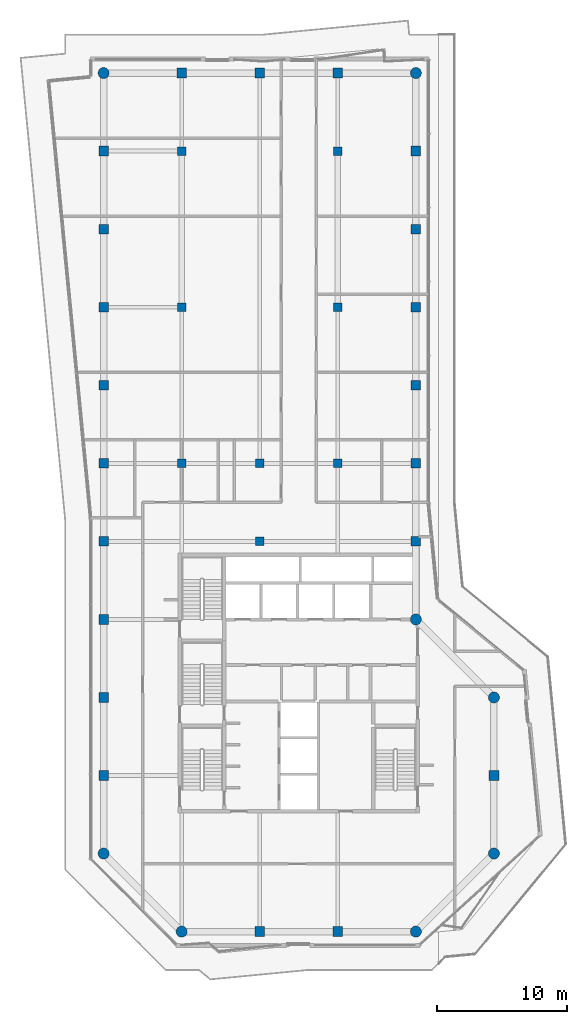
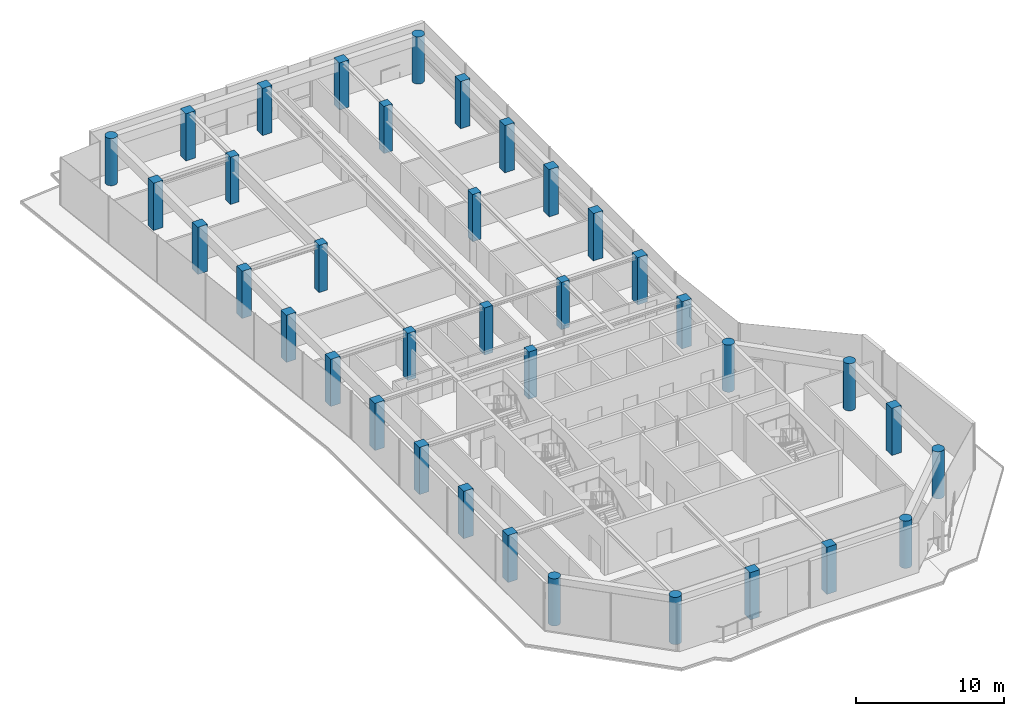
# One storey, part 1 of 22: 37 columns.
"""IFC4 building model written with IfcOpenShell, lengths in metres."""

from ifc_helpers import new_model, si_unit, direction, frame, origin, origin_2d, place, context, subcontext, project, spatial, rectangle, circle, extrude, material, material_profile, profile_set, type_object, element, save


model = new_model("IFC4")

# Units and contexts
model_context = context("Model", 3, precision=1e-05, world=origin(), true_north=direction((0.0, 1.0)))
body_context = subcontext(model_context, "Body", "Model", "MODEL_VIEW")
ifc_project = project(units=[si_unit("LENGTHUNIT", "METRE"), si_unit("AREAUNIT", "SQUARE_METRE"), si_unit("VOLUMEUNIT", "CUBIC_METRE"), si_unit("PLANEANGLEUNIT", "RADIAN"), si_unit("MASSUNIT", "GRAM", prefix="KILO")], contexts=[model_context])

# Site, building, storey
site_placement = place(None, origin())
site = spatial("IfcSite", under=ifc_project, at=site_placement, CompositionType="ELEMENT")
building_placement = place(site_placement, origin())
building = spatial("IfcBuilding", under=site, at=building_placement, Name="Welwitschia Terrace Campus", CompositionType="ELEMENT")
storey_placement = place(building_placement, frame((0.0, 0.0, 310.39990234375)))
storey = spatial("IfcBuildingStorey", under=building, at=storey_placement, Name="L69", CompositionType="ELEMENT", Elevation=310.39990234375)

# Columns
ifc_material_1 = material(Name="Concrete C50/60", Category="concrete")
ifc_material_profile_1 = material_profile(ifc_material_1, circle(Radius=0.425048828125, at=origin_2d()))
ifc_profile_set_1 = profile_set([ifc_material_profile_1], Name="Concrete C50/60")
column_type_1 = type_object("IfcColumnType", Name="Corner column 850 dia", PredefinedType="COLUMN", material=ifc_profile_set_1)
for number, where, z_axis, x_axis, name in (
    (1, (0.0, 2.0, 0.0), (0.0, 0.0, 1.0), (1.0, 0.0, 0.0), "Column C41"),
    (2, (0.0, 62.0, 0.0), (0.0, 0.0, 1.0), (1.0, 0.0, 0.0), "Column C41"),
    (3, (6.0, -4.0, 0.0), (0.0, 0.0, 1.0), (1.0, 0.0, 0.0), "Column C41"),
    (4, (24.0, -4.0, 0.0), (0.0, 0.0, 1.0), (1.0, 0.0, 0.0), "Column C41"),
    (5, (24.0, 20.0, 0.0), (0.0, 0.0, 1.0), (1.0, 0.0, 0.0), "Column C41"),
    (6, (24.0, 62.0, 0.0), (0.0, 0.0, 1.0), (1.0, 0.0, 0.0), "Column C41"),
    (7, (30.0, 2.0, 0.0), (0.0, 0.0, 1.0), (1.0, 0.0, 0.0), "Column C41"),
    (8, (30.0, 14.0, 0.0), (0.0, 0.0, 1.0), (1.0, 0.0, 0.0), "Column C41"),
):
    element("IfcColumn", number, at=place(storey_placement, frame(where, z_axis=z_axis, x_axis=x_axis)), inside=storey, type_object=column_type_1, Name=name, PredefinedType="COLUMN", context=body_context, shape_type="SweptSolid", body=[
        extrude(circle(Radius=0.425048828125, at=origin_2d()), origin(), (0.0, 0.0, 1.0), 3.900146484375),
    ])
ifc_material_2 = material(Name="Concrete C50/60", Category="concrete")
ifc_material_profile_2 = material_profile(ifc_material_2, rectangle(XDim=0.64990234375, YDim=0.64990234375, at=origin_2d()))
ifc_profile_set_2 = profile_set([ifc_material_profile_2], Name="Concrete C50/60")
column_type_2 = type_object("IfcColumnType", Name="Interior column 650x650", PredefinedType="COLUMN", material=ifc_profile_set_2)
for number, where, z_axis, x_axis, name in (
    (9, (6.0, 32.0, 0.0), (0.0, 0.0, 1.0), (1.0, 0.0, 0.0), "Column C43"),
    (10, (6.0, 44.0, 0.0), (0.0, 0.0, 1.0), (1.0, 0.0, 0.0), "Column C43"),
    (11, (6.0, 56.0, 0.0), (0.0, 0.0, 1.0), (1.0, 0.0, 0.0), "Column C43"),
    (12, (12.0, 26.0, 0.0), (0.0, 0.0, 1.0), (1.0, 0.0, 0.0), "Column C43"),
    (13, (12.0, 32.0, 0.0), (0.0, 0.0, 1.0), (1.0, 0.0, 0.0), "Column C43"),
    (14, (18.0, 32.0, 0.0), (0.0, 0.0, 1.0), (1.0, 0.0, 0.0), "Column C43"),
    (15, (18.0, 44.0, 0.0), (0.0, 0.0, 1.0), (1.0, 0.0, 0.0), "Column C43"),
    (16, (18.0, 56.0, 0.0), (0.0, 0.0, 1.0), (1.0, 0.0, 0.0), "Column C43"),
):
    element("IfcColumn", number, at=place(storey_placement, frame(where, z_axis=z_axis, x_axis=x_axis)), inside=storey, type_object=column_type_2, Name=name, PredefinedType="COLUMN", context=body_context, shape_type="SweptSolid", body=[
        extrude(rectangle(XDim=0.64990234375, YDim=0.64990234375, at=origin_2d()), origin(), (0.0, 0.0, 1.0), 3.900146484375),
    ])
ifc_material_3 = material(Name="Concrete C50/60", Category="concrete")
ifc_material_profile_3 = material_profile(ifc_material_3, rectangle(XDim=0.75, YDim=0.75, at=origin_2d()))
ifc_profile_set_3 = profile_set([ifc_material_profile_3], Name="Concrete C50/60")
column_type_3 = type_object("IfcColumnType", Name="Ring column 750x750", PredefinedType="COLUMN", material=ifc_profile_set_3)
for number, where, z_axis, x_axis, name in (
    (17, (0.0, 8.0, 0.0), (0.0, 0.0, 1.0), (1.0, 0.0, 0.0), "Column C42"),
    (18, (0.0, 14.0, 0.0), (0.0, 0.0, 1.0), (1.0, 0.0, 0.0), "Column C42"),
    (19, (0.0, 20.0, 0.0), (0.0, 0.0, 1.0), (1.0, 0.0, 0.0), "Column C42"),
    (20, (0.0, 26.0, 0.0), (0.0, 0.0, 1.0), (1.0, 0.0, 0.0), "Column C42"),
    (21, (0.0, 32.0, 0.0), (0.0, 0.0, 1.0), (1.0, 0.0, 0.0), "Column C42"),
    (22, (0.0, 38.0, 0.0), (0.0, 0.0, 1.0), (1.0, 0.0, 0.0), "Column C42"),
    (23, (0.0, 44.0, 0.0), (0.0, 0.0, 1.0), (1.0, 0.0, 0.0), "Column C42"),
    (24, (0.0, 50.0, 0.0), (0.0, 0.0, 1.0), (1.0, 0.0, 0.0), "Column C42"),
    (25, (0.0, 56.0, 0.0), (0.0, 0.0, 1.0), (1.0, 0.0, 0.0), "Column C42"),
    (26, (6.0, 62.0, 0.0), (0.0, 0.0, 1.0), (1.0, 0.0, 0.0), "Column C42"),
    (27, (12.0, -4.0, 0.0), (0.0, 0.0, 1.0), (1.0, 0.0, 0.0), "Column C42"),
    (28, (12.0, 62.0, 0.0), (0.0, 0.0, 1.0), (1.0, 0.0, 0.0), "Column C42"),
    (29, (18.0, -4.0, 0.0), (0.0, 0.0, 1.0), (1.0, 0.0, 0.0), "Column C42"),
    (30, (18.0, 62.0, 0.0), (0.0, 0.0, 1.0), (1.0, 0.0, 0.0), "Column C42"),
    (31, (24.0, 26.0, 0.0), (0.0, 0.0, 1.0), (1.0, 0.0, 0.0), "Column C42"),
    (32, (24.0, 32.0, 0.0), (0.0, 0.0, 1.0), (1.0, 0.0, 0.0), "Column C42"),
    (33, (24.0, 38.0, 0.0), (0.0, 0.0, 1.0), (1.0, 0.0, 0.0), "Column C42"),
    (34, (24.0, 44.0, 0.0), (0.0, 0.0, 1.0), (1.0, 0.0, 0.0), "Column C42"),
    (35, (24.0, 50.0, 0.0), (0.0, 0.0, 1.0), (1.0, 0.0, 0.0), "Column C42"),
    (36, (24.0, 56.0, 0.0), (0.0, 0.0, 1.0), (1.0, 0.0, 0.0), "Column C42"),
    (37, (30.0, 8.0, 0.0), (0.0, 0.0, 1.0), (1.0, 0.0, 0.0), "Column C42"),
):
    element("IfcColumn", number, at=place(storey_placement, frame(where, z_axis=z_axis, x_axis=x_axis)), inside=storey, type_object=column_type_3, Name=name, PredefinedType="COLUMN", context=body_context, shape_type="SweptSolid", body=[
        extrude(rectangle(XDim=0.75, YDim=0.75, at=origin_2d()), origin(), (0.0, 0.0, 1.0), 3.900146484375),
    ])

save(model, "model.ifc")
